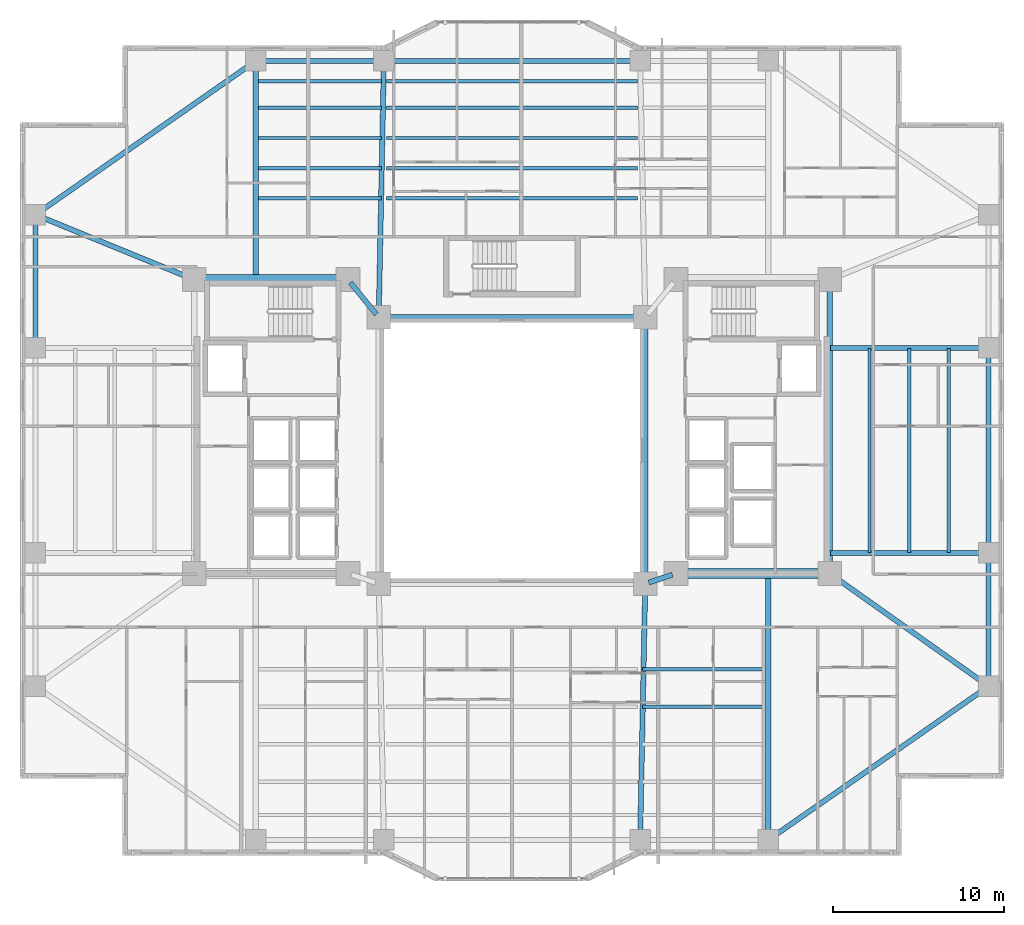
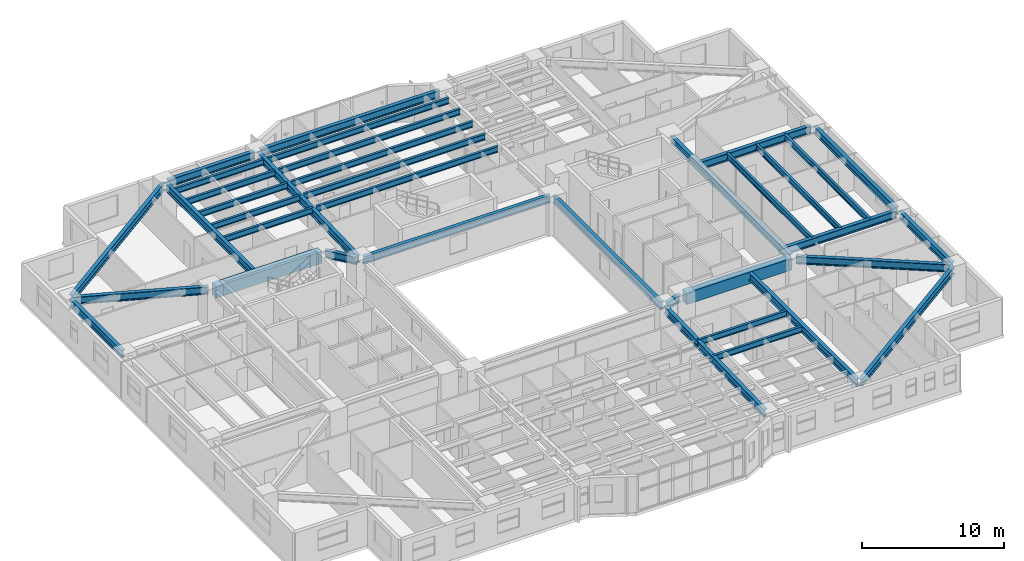
# One storey, part 5 of 21: 37 beams.
"""IFC4 building model written with IfcOpenShell, lengths in metres."""

from ifc_helpers import new_model, si_unit, direction, frame, origin, origin_2d, place, context, subcontext, project, spatial, rectangle, i_section, extrude, material, material_profile, profile_set, type_object, element, save


model = new_model("IFC4")

# Units and contexts
model_context = context("Model", 3, precision=1e-05, world=origin(), true_north=direction((0.0, 1.0)))
body_context = subcontext(model_context, "Body", "Model", "MODEL_VIEW")
ifc_project = project(units=[si_unit("LENGTHUNIT", "METRE"), si_unit("AREAUNIT", "SQUARE_METRE"), si_unit("VOLUMEUNIT", "CUBIC_METRE"), si_unit("PLANEANGLEUNIT", "RADIAN"), si_unit("MASSUNIT", "GRAM", prefix="KILO")], contexts=[model_context])

# Site, building, storey
site_placement = place(None, origin())
site = spatial("IfcSite", under=ifc_project, at=site_placement, CompositionType="ELEMENT")
building_placement = place(site_placement, origin())
building = spatial("IfcBuilding", under=site, at=building_placement, Name="Tarnavaz Court Tower", CompositionType="ELEMENT")
storey_placement = place(building_placement, frame((0.0, 0.0, 24.0)))
storey = spatial("IfcBuildingStorey", under=building, at=storey_placement, Name="L05", CompositionType="ELEMENT", Elevation=24.0)

# Beams
ifc_material_1 = material(Name="Concrete C60/75", Category="concrete")
ifc_material_profile_1 = material_profile(ifc_material_1, rectangle(XDim=0.60009765625, YDim=1.0, at=origin_2d()), Name="RC 600X1000")
ifc_profile_set_1 = profile_set([ifc_material_profile_1], Name="Concrete C60/75")
beam_type_1 = type_object("IfcBeamType", Name="BM-CB1000", PredefinedType="LINTEL", material=ifc_profile_set_1)
for number, where, z_axis, x_axis, name in (
    (1, (-18.3798828125, 10.0, 2.60009765625), (1.0, 0.0, 0.0), (0.0, 1.0, 0.0), "L05 Beam IN-CW-NO-CW-NI"),
    (2, (18.3798828125, -7.199951171875, 2.60009765625), (-1.0, 0.0, 0.0), (0.0, -1.0, 0.0), "L05 Beam IN-CE-SO-CE-SI"),
):
    element("IfcBeam", number, at=place(storey_placement, frame(where, z_axis=z_axis, x_axis=x_axis)), inside=storey, type_object=beam_type_1, Name=name, PredefinedType="LINTEL", context=body_context, shape_type="SweptSolid", body=[
        extrude(rectangle(XDim=0.60009765625, YDim=1.0, at=origin_2d()), origin(), (0.0, 0.0, 1.0), 8.559814453125),
    ])
ifc_material_2 = material(Name="Steel S355", Category="steel")
ifc_material_profile_2 = material_profile(ifc_material_2, i_section(OverallWidth=0.300048828125, OverallDepth=0.64990234375, WebThickness=0.01611328125, FlangeThickness=0.031005859375, FilletRadius=0.027099609375, at=origin_2d()), Name="HEB 650")
ifc_profile_set_2 = profile_set([ifc_material_profile_2], Name="Steel S355")
beam_type_2 = type_object("IfcBeamType", Name="BM-G-HEB650", PredefinedType="USERDEFINED", material=ifc_profile_set_2)
beam_1_placement = place(storey_placement, frame((9.391357421875, -7.26953125, 2.77490234375), z_axis=(-0.948666544706, -0.316278021615, 0.0), x_axis=(0.316278021615, -0.948666544706, 0.0)))
element("IfcBeam", 3, at=beam_1_placement, inside=storey, type_object=beam_type_2, Name="L05 Beam IN-CE-SI-IW-SE", ObjectType="GIRDER", PredefinedType="USERDEFINED", context=body_context, shape_type="SweptSolid", body=[
    extrude(i_section(OverallWidth=0.300048828125, OverallDepth=0.64990234375, WebThickness=0.01611328125, FlangeThickness=0.031005859375, FilletRadius=0.027099609375, at=origin_2d()), origin(), (0.0, 0.0, 1.0), 1.457275390625),
])
beam_2_placement = place(storey_placement, frame((-9.460693359375, 9.82958984375, 2.77490234375), z_axis=(0.633282058357, -0.773921077735, 0.0), x_axis=(0.773921077735, 0.633282058357, 0.0)))
element("IfcBeam", 4, at=beam_2_placement, inside=storey, type_object=beam_type_2, Name="L05 Beam IN-CW-NI-IW-NW", ObjectType="GIRDER", PredefinedType="USERDEFINED", context=body_context, shape_type="SweptSolid", body=[
    extrude(i_section(OverallWidth=0.300048828125, OverallDepth=0.64990234375, WebThickness=0.01611328125, FlangeThickness=0.031005859375, FilletRadius=0.027099609375, at=origin_2d()), origin(), (0.0, 0.0, 1.0), 2.402587890625),
])
beam_3_placement = place(storey_placement, frame((18.60009765625, -6.97998046875, 2.77490234375), z_axis=(0.0, 1.0, 0.0), x_axis=(-1.0, 0.0, 0.0)))
element("IfcBeam", 5, at=beam_3_placement, inside=storey, type_object=beam_type_2, Name="L05 Beam IN-CE-SO-CE-NO", ObjectType="GIRDER", PredefinedType="USERDEFINED", context=body_context, shape_type="SweptSolid", body=[
    extrude(i_section(OverallWidth=0.300048828125, OverallDepth=0.64990234375, WebThickness=0.01611328125, FlangeThickness=0.031005859375, FilletRadius=0.027099609375, at=origin_2d()), origin(), (0.0, 0.0, 1.0), 16.760009765625),
])
beam_4_placement = place(storey_placement, frame((-15.0, 10.0400390625, 2.77490234375), z_axis=(0.0, 1.0, 0.0), x_axis=(-1.0, 0.0, 0.0)))
element("IfcBeam", 6, at=beam_4_placement, inside=storey, type_object=beam_type_2, Name="L05 Beam RG-01", ObjectType="GIRDER", PredefinedType="USERDEFINED", context=body_context, shape_type="SweptSolid", body=[
    extrude(i_section(OverallWidth=0.300048828125, OverallDepth=0.64990234375, WebThickness=0.01611328125, FlangeThickness=0.031005859375, FilletRadius=0.027099609375, at=origin_2d()), origin(), (0.0, 0.0, 1.0), 12.5400390625),
])
for number, where, z_axis, x_axis, name in (
    (7, (-7.795654296875, 8.02001953125, 2.77490234375), (0.020000023066, 0.999799979535, 0.0), (-0.999799979535, 0.020000023066, 0.0), "L05 Beam RG-02"),
    (8, (7.795654296875, -8.02001953125, 2.77490234375), (-0.020000023066, -0.999799979535, 0.0), (0.999799979535, -0.020000023066, 0.0), "L05 Beam RG-07"),
):
    element("IfcBeam", number, at=place(storey_placement, frame(where, z_axis=z_axis, x_axis=x_axis)), inside=storey, type_object=beam_type_2, Name=name, ObjectType="GIRDER", PredefinedType="USERDEFINED", context=body_context, shape_type="SweptSolid", body=[
        extrude(i_section(OverallWidth=0.300048828125, OverallDepth=0.64990234375, WebThickness=0.01611328125, FlangeThickness=0.031005859375, FilletRadius=0.027099609375, at=origin_2d()), origin(), (0.0, 0.0, 1.0), 14.56298828125),
    ])
beam_5_placement = place(storey_placement, frame((15.0, -7.239990234375, 2.77490234375), z_axis=(0.0, -1.0, 0.0), x_axis=(1.0, 0.0, 0.0)))
element("IfcBeam", 9, at=beam_5_placement, inside=storey, type_object=beam_type_2, Name="L05 Beam RG-08", ObjectType="GIRDER", PredefinedType="USERDEFINED", context=body_context, shape_type="SweptSolid", body=[
    extrude(i_section(OverallWidth=0.300048828125, OverallDepth=0.64990234375, WebThickness=0.01611328125, FlangeThickness=0.031005859375, FilletRadius=0.027099609375, at=origin_2d()), origin(), (0.0, 0.0, 1.0), 15.340087890625),
])
for number, where, z_axis, x_axis, name in (
    (10, (18.639892578125, -6.0, 2.77490234375), (1.0, 0.0, 0.0), (0.0, 1.0, 0.0), "L05 Beam RG-09"),
    (11, (18.639892578125, 6.0, 2.77490234375), (1.0, 0.0, 0.0), (0.0, 1.0, 0.0), "L05 Beam RG-10"),
):
    element("IfcBeam", number, at=place(storey_placement, frame(where, z_axis=z_axis, x_axis=x_axis)), inside=storey, type_object=beam_type_2, Name=name, ObjectType="GIRDER", PredefinedType="USERDEFINED", context=body_context, shape_type="SweptSolid", body=[
        extrude(i_section(OverallWidth=0.300048828125, OverallDepth=0.64990234375, WebThickness=0.01611328125, FlangeThickness=0.031005859375, FilletRadius=0.027099609375, at=origin_2d()), origin(), (0.0, 0.0, 1.0), 9.0400390625),
    ])
beam_6_placement = place(storey_placement, frame((18.779296875, -7.327392578125, 2.77490234375), z_axis=(0.815520027245, -0.578728852886, 0.0), x_axis=(0.578728852886, 0.815520027245, 0.0)))
element("IfcBeam", 12, at=beam_6_placement, inside=storey, type_object=beam_type_2, Name="L05 Beam RG-11", ObjectType="GIRDER", PredefinedType="USERDEFINED", context=body_context, shape_type="SweptSolid", body=[
    extrude(i_section(OverallWidth=0.300048828125, OverallDepth=0.64990234375, WebThickness=0.01611328125, FlangeThickness=0.031005859375, FilletRadius=0.027099609375, at=origin_2d()), origin(), (0.0, 0.0, 1.0), 10.964111328125),
])
beam_7_placement = place(storey_placement, frame((-18.8037109375, 10.083251953125, 2.77490234375), z_axis=(-0.925704761705, 0.378246869329, 0.0), x_axis=(-0.378246869329, -0.925704761705, 0.0)))
element("IfcBeam", 13, at=beam_7_placement, inside=storey, type_object=beam_type_2, Name="L05 Beam RG-16", ObjectType="GIRDER", PredefinedType="USERDEFINED", context=body_context, shape_type="SweptSolid", body=[
    extrude(i_section(OverallWidth=0.300048828125, OverallDepth=0.64990234375, WebThickness=0.01611328125, FlangeThickness=0.031005859375, FilletRadius=0.027099609375, at=origin_2d()), origin(), (0.0, 0.0, 1.0), 9.606201171875),
])
ifc_material_profile_3 = material_profile(ifc_material_2, i_section(OverallWidth=0.199951171875, OverallDepth=0.5, WebThickness=0.01025390625, FlangeThickness=0.01611328125, FilletRadius=0.02099609375, at=origin_2d()), Name="IPE 500")
ifc_profile_set_3 = profile_set([ifc_material_profile_3], Name="Steel S355")
beam_type_3 = type_object("IfcBeamType", Name="BM-J-IPE500", PredefinedType="JOIST", material=ifc_profile_set_3)
beam_8_placement = place(storey_placement, frame((-14.85009765625, 14.763916015625, 2.85009765625), z_axis=(1.0, 0.0, 0.0), x_axis=(0.0, 1.0, 0.0)))
element("IfcBeam", 14, at=beam_8_placement, inside=storey, type_object=beam_type_3, Name="L05 Beam JN1-1", PredefinedType="JOIST", context=body_context, shape_type="SweptSolid", body=[
    extrude(i_section(OverallWidth=0.199951171875, OverallDepth=0.5, WebThickness=0.01025390625, FlangeThickness=0.01611328125, FilletRadius=0.02099609375, at=origin_2d()), origin(), (0.0, 0.0, 1.0), 7.2001953125),
])
beam_9_placement = place(storey_placement, frame((-7.35009765625, 14.763916015625, 2.85009765625), z_axis=(1.0, 0.0, 0.0), x_axis=(0.0, 1.0, 0.0)))
element("IfcBeam", 15, at=beam_9_placement, inside=storey, type_object=beam_type_3, Name="L05 Beam JN1-2", PredefinedType="JOIST", context=body_context, shape_type="SweptSolid", body=[
    extrude(i_section(OverallWidth=0.199951171875, OverallDepth=0.5, WebThickness=0.01025390625, FlangeThickness=0.01611328125, FilletRadius=0.02099609375, at=origin_2d()), origin(), (0.0, 0.0, 1.0), 14.7001953125),
])
for number, where, z_axis, x_axis, name in (
    (16, (7.64990234375, -12.7958984375, 2.85009765625), (1.0, 0.0, 0.0), (0.0, 1.0, 0.0), "L05 Beam JS1-3"),
    (17, (-14.85009765625, 16.528076171875, 2.85009765625), (1.0, 0.0, 0.0), (0.0, 1.0, 0.0), "L05 Beam JN2-1"),
):
    element("IfcBeam", number, at=place(storey_placement, frame(where, z_axis=z_axis, x_axis=x_axis)), inside=storey, type_object=beam_type_3, Name=name, PredefinedType="JOIST", context=body_context, shape_type="SweptSolid", body=[
        extrude(i_section(OverallWidth=0.199951171875, OverallDepth=0.5, WebThickness=0.01025390625, FlangeThickness=0.01611328125, FilletRadius=0.02099609375, at=origin_2d()), origin(), (0.0, 0.0, 1.0), 7.2001953125),
    ])
beam_10_placement = place(storey_placement, frame((-7.35009765625, 16.528076171875, 2.85009765625), z_axis=(1.0, 0.0, 0.0), x_axis=(0.0, 1.0, 0.0)))
element("IfcBeam", 18, at=beam_10_placement, inside=storey, type_object=beam_type_3, Name="L05 Beam JN2-2", PredefinedType="JOIST", context=body_context, shape_type="SweptSolid", body=[
    extrude(i_section(OverallWidth=0.199951171875, OverallDepth=0.5, WebThickness=0.01025390625, FlangeThickness=0.01611328125, FilletRadius=0.02099609375, at=origin_2d()), origin(), (0.0, 0.0, 1.0), 14.7001953125),
])
for number, where, z_axis, x_axis, name in (
    (19, (7.64990234375, -14.991943359375, 2.85009765625), (1.0, 0.0, 0.0), (0.0, 1.0, 0.0), "L05 Beam JS2-3"),
    (20, (-14.85009765625, 18.2919921875, 2.85009765625), (1.0, 0.0, 0.0), (0.0, 1.0, 0.0), "L05 Beam JN3-1"),
):
    element("IfcBeam", number, at=place(storey_placement, frame(where, z_axis=z_axis, x_axis=x_axis)), inside=storey, type_object=beam_type_3, Name=name, PredefinedType="JOIST", context=body_context, shape_type="SweptSolid", body=[
        extrude(i_section(OverallWidth=0.199951171875, OverallDepth=0.5, WebThickness=0.01025390625, FlangeThickness=0.01611328125, FilletRadius=0.02099609375, at=origin_2d()), origin(), (0.0, 0.0, 1.0), 7.2001953125),
    ])
beam_11_placement = place(storey_placement, frame((-7.35009765625, 18.2919921875, 2.85009765625), z_axis=(1.0, 0.0, 0.0), x_axis=(0.0, 1.0, 0.0)))
element("IfcBeam", 21, at=beam_11_placement, inside=storey, type_object=beam_type_3, Name="L05 Beam JN3-2", PredefinedType="JOIST", context=body_context, shape_type="SweptSolid", body=[
    extrude(i_section(OverallWidth=0.199951171875, OverallDepth=0.5, WebThickness=0.01025390625, FlangeThickness=0.01611328125, FilletRadius=0.02099609375, at=origin_2d()), origin(), (0.0, 0.0, 1.0), 14.7001953125),
])
beam_12_placement = place(storey_placement, frame((-14.85009765625, 20.055908203125, 2.85009765625), z_axis=(1.0, 0.0, 0.0), x_axis=(0.0, 1.0, 0.0)))
element("IfcBeam", 22, at=beam_12_placement, inside=storey, type_object=beam_type_3, Name="L05 Beam JN4-1", PredefinedType="JOIST", context=body_context, shape_type="SweptSolid", body=[
    extrude(i_section(OverallWidth=0.199951171875, OverallDepth=0.5, WebThickness=0.01025390625, FlangeThickness=0.01611328125, FilletRadius=0.02099609375, at=origin_2d()), origin(), (0.0, 0.0, 1.0), 7.2001953125),
])
beam_13_placement = place(storey_placement, frame((-7.35009765625, 20.055908203125, 2.85009765625), z_axis=(1.0, 0.0, 0.0), x_axis=(0.0, 1.0, 0.0)))
element("IfcBeam", 23, at=beam_13_placement, inside=storey, type_object=beam_type_3, Name="L05 Beam JN4-2", PredefinedType="JOIST", context=body_context, shape_type="SweptSolid", body=[
    extrude(i_section(OverallWidth=0.199951171875, OverallDepth=0.5, WebThickness=0.01025390625, FlangeThickness=0.01611328125, FilletRadius=0.02099609375, at=origin_2d()), origin(), (0.0, 0.0, 1.0), 14.7001953125),
])
beam_14_placement = place(storey_placement, frame((-14.85009765625, 21.6240234375, 2.85009765625), z_axis=(1.0, 0.0, 0.0), x_axis=(0.0, 1.0, 0.0)))
element("IfcBeam", 24, at=beam_14_placement, inside=storey, type_object=beam_type_3, Name="L05 Beam JN5-1", PredefinedType="JOIST", context=body_context, shape_type="SweptSolid", body=[
    extrude(i_section(OverallWidth=0.199951171875, OverallDepth=0.5, WebThickness=0.01025390625, FlangeThickness=0.01611328125, FilletRadius=0.02099609375, at=origin_2d()), origin(), (0.0, 0.0, 1.0), 7.2001953125),
])
beam_15_placement = place(storey_placement, frame((-7.35009765625, 21.6240234375, 2.85009765625), z_axis=(1.0, 0.0, 0.0), x_axis=(0.0, 1.0, 0.0)))
element("IfcBeam", 25, at=beam_15_placement, inside=storey, type_object=beam_type_3, Name="L05 Beam JN5-2", PredefinedType="JOIST", context=body_context, shape_type="SweptSolid", body=[
    extrude(i_section(OverallWidth=0.199951171875, OverallDepth=0.5, WebThickness=0.01025390625, FlangeThickness=0.01611328125, FilletRadius=0.02099609375, at=origin_2d()), origin(), (0.0, 0.0, 1.0), 14.7001953125),
])
for number, where, z_axis, x_axis, name in (
    (26, (20.925048828125, -5.9599609375, 2.85009765625), (0.0, 1.0, 0.0), (-1.0, 0.0, 0.0), "L05 Beam JE1"),
    (27, (23.25, -5.9599609375, 2.85009765625), (0.0, 1.0, 0.0), (-1.0, 0.0, 0.0), "L05 Beam JE2"),
    (28, (25.574951171875, -5.9599609375, 2.85009765625), (0.0, 1.0, 0.0), (-1.0, 0.0, 0.0), "L05 Beam JE3"),
):
    element("IfcBeam", number, at=place(storey_placement, frame(where, z_axis=z_axis, x_axis=x_axis)), inside=storey, type_object=beam_type_3, Name=name, PredefinedType="JOIST", context=body_context, shape_type="SweptSolid", body=[
        extrude(i_section(OverallWidth=0.199951171875, OverallDepth=0.5, WebThickness=0.01025390625, FlangeThickness=0.01611328125, FilletRadius=0.02099609375, at=origin_2d()), origin(), (0.0, 0.0, 1.0), 11.919921875),
    ])
ifc_material_profile_4 = material_profile(ifc_material_2, i_section(OverallWidth=0.300048828125, OverallDepth=0.639892578125, WebThickness=0.013427734375, FlangeThickness=0.02587890625, FilletRadius=0.027099609375, at=origin_2d()), Name="HEA 650")
ifc_profile_set_4 = profile_set([ifc_material_profile_4], Name="Steel S355")
beam_type_4 = type_object("IfcBeamType", Name="BM-SP-HEA650", PredefinedType="SPANDREL", material=ifc_profile_set_4)
for number, where, z_axis, x_axis, name in (
    (29, (-7.580078125, 7.800048828125, 2.780029296875), (1.0, 0.0, 0.0), (0.0, 1.0, 0.0), "L05 Beam IN-IW-NW-IW-NE"),
    (30, (7.800048828125, -7.580078125, 2.780029296875), (0.0, 1.0, 0.0), (-1.0, 0.0, 0.0), "L05 Beam IN-IW-SE-IW-NE"),
):
    element("IfcBeam", number, at=place(storey_placement, frame(where, z_axis=z_axis, x_axis=x_axis)), inside=storey, type_object=beam_type_4, Name=name, PredefinedType="SPANDREL", context=body_context, shape_type="SweptSolid", body=[
        extrude(i_section(OverallWidth=0.300048828125, OverallDepth=0.639892578125, WebThickness=0.013427734375, FlangeThickness=0.02587890625, FilletRadius=0.027099609375, at=origin_2d()), origin(), (0.0, 0.0, 1.0), 15.16015625),
    ])
beam_16_placement = place(storey_placement, frame((-14.780029296875, 22.800048828125, 2.780029296875), z_axis=(1.0, 0.0, 0.0), x_axis=(0.0, 1.0, 0.0)))
element("IfcBeam", 31, at=beam_16_placement, inside=storey, type_object=beam_type_4, Name="L05 Beam PR-PN-1-PN-2", PredefinedType="SPANDREL", context=body_context, shape_type="SweptSolid", body=[
    extrude(i_section(OverallWidth=0.300048828125, OverallDepth=0.639892578125, WebThickness=0.013427734375, FlangeThickness=0.02587890625, FilletRadius=0.027099609375, at=origin_2d()), origin(), (0.0, 0.0, 1.0), 7.06005859375),
])
beam_17_placement = place(storey_placement, frame((-7.280029296875, 22.800048828125, 2.780029296875), z_axis=(1.0, 0.0, 0.0), x_axis=(0.0, 1.0, 0.0)))
element("IfcBeam", 32, at=beam_17_placement, inside=storey, type_object=beam_type_4, Name="L05 Beam PR-PN-2-PN-3", PredefinedType="SPANDREL", context=body_context, shape_type="SweptSolid", body=[
    extrude(i_section(OverallWidth=0.300048828125, OverallDepth=0.639892578125, WebThickness=0.013427734375, FlangeThickness=0.02587890625, FilletRadius=0.027099609375, at=origin_2d()), origin(), (0.0, 0.0, 1.0), 14.56005859375),
])
beam_18_placement = place(storey_placement, frame((27.89990234375, -13.580078125, 2.780029296875), z_axis=(0.0, 1.0, 0.0), x_axis=(-1.0, 0.0, 0.0)))
element("IfcBeam", 33, at=beam_18_placement, inside=storey, type_object=beam_type_4, Name="L05 Beam PR-PE-1-PE-2", PredefinedType="SPANDREL", context=body_context, shape_type="SweptSolid", body=[
    extrude(i_section(OverallWidth=0.300048828125, OverallDepth=0.639892578125, WebThickness=0.013427734375, FlangeThickness=0.02587890625, FilletRadius=0.027099609375, at=origin_2d()), origin(), (0.0, 0.0, 1.0), 7.360107421875),
])
beam_19_placement = place(storey_placement, frame((27.89990234375, -5.780029296875, 2.780029296875), z_axis=(0.0, 1.0, 0.0), x_axis=(-1.0, 0.0, 0.0)))
element("IfcBeam", 34, at=beam_19_placement, inside=storey, type_object=beam_type_4, Name="L05 Beam PR-PE-2-PE-3", PredefinedType="SPANDREL", context=body_context, shape_type="SweptSolid", body=[
    extrude(i_section(OverallWidth=0.300048828125, OverallDepth=0.639892578125, WebThickness=0.013427734375, FlangeThickness=0.02587890625, FilletRadius=0.027099609375, at=origin_2d()), origin(), (0.0, 0.0, 1.0), 11.56005859375),
])
beam_20_placement = place(storey_placement, frame((-27.89990234375, 6.219970703125, 2.780029296875), z_axis=(0.0, 1.0, 0.0), x_axis=(-1.0, 0.0, 0.0)))
element("IfcBeam", 35, at=beam_20_placement, inside=storey, type_object=beam_type_4, Name="L05 Beam PR-PW-3-PW-4", PredefinedType="SPANDREL", context=body_context, shape_type="SweptSolid", body=[
    extrude(i_section(OverallWidth=0.300048828125, OverallDepth=0.639892578125, WebThickness=0.013427734375, FlangeThickness=0.02587890625, FilletRadius=0.027099609375, at=origin_2d()), origin(), (0.0, 0.0, 1.0), 7.360107421875),
])
for number, where, z_axis, x_axis, name in (
    (36, (27.719482421875, -13.92578125, 2.780029296875), (-0.820123643324, -0.572186341729, 0.0), (0.572186341729, -0.820123643324, 0.0), "L05 Beam PR-PE-1-PS-4"),
    (37, (-27.719482421875, 13.92578125, 2.780029296875), (0.820123643324, 0.572186341729, 0.0), (-0.572186341729, 0.820123643324, 0.0), "L05 Beam PR-PW-4-PN-1"),
):
    element("IfcBeam", number, at=place(storey_placement, frame(where, z_axis=z_axis, x_axis=x_axis)), inside=storey, type_object=beam_type_4, Name=name, PredefinedType="SPANDREL", context=body_context, shape_type="SweptSolid", body=[
        extrude(i_section(OverallWidth=0.300048828125, OverallDepth=0.639892578125, WebThickness=0.013427734375, FlangeThickness=0.02587890625, FilletRadius=0.027099609375, at=origin_2d()), origin(), (0.0, 0.0, 1.0), 15.289306640625),
    ])

save(model, "model.ifc")
